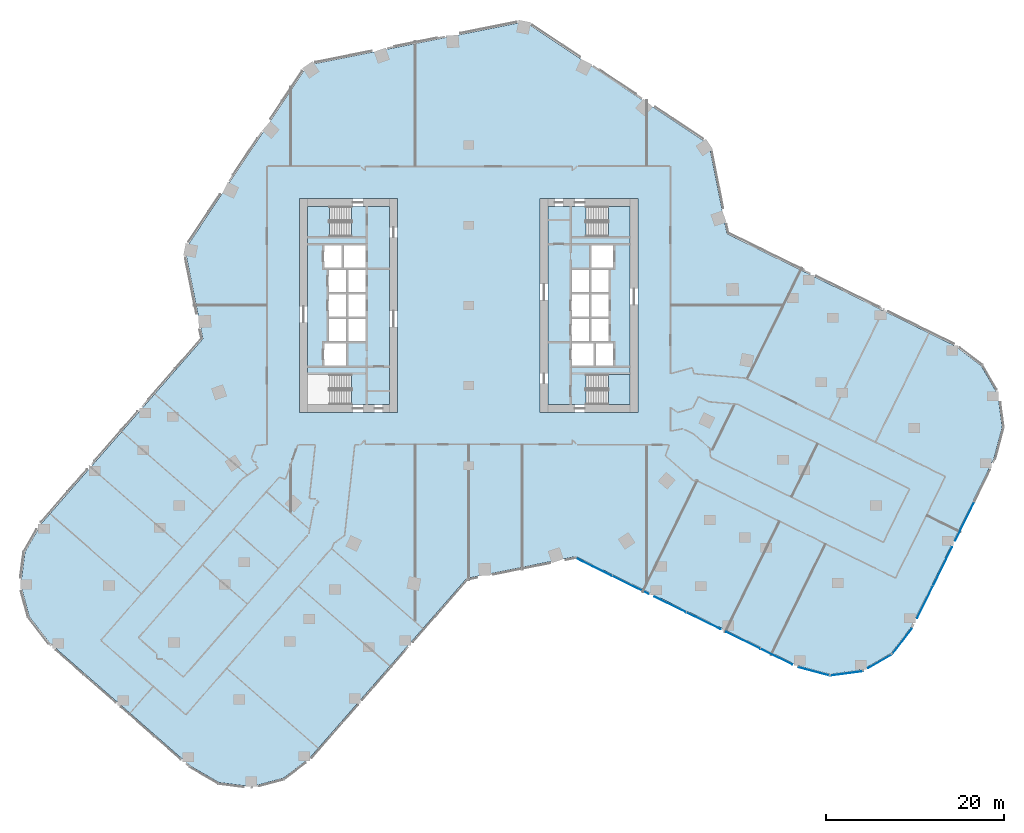
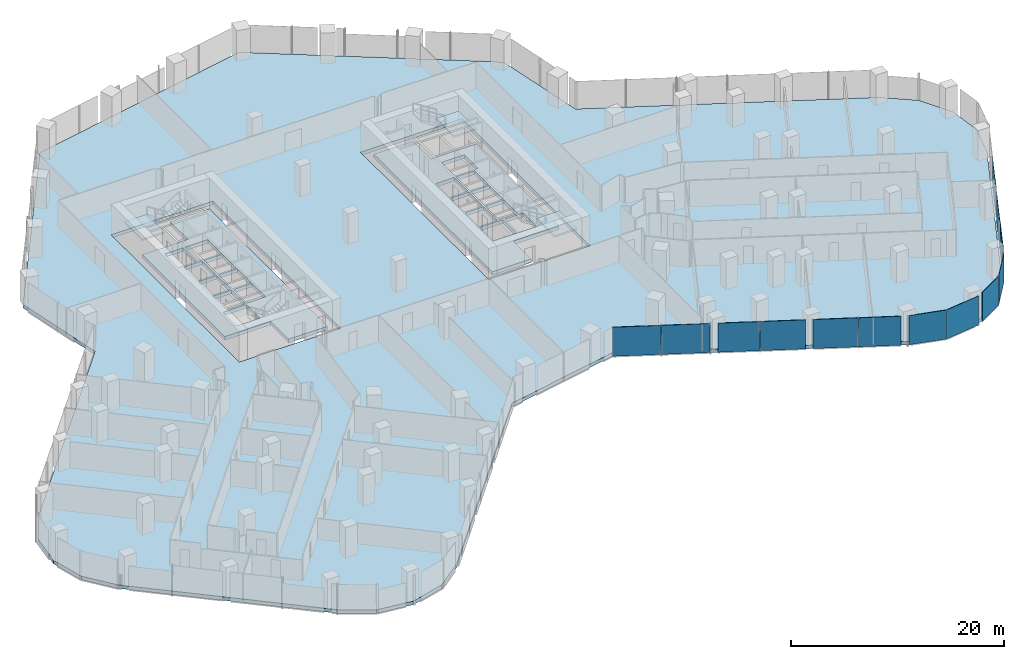
# One storey, part 21 of 38: 13 plates, 6 slabs, 9 elements without a shape of their own.
"""IFC4 building model written with IfcOpenShell, lengths in metres."""

from ifc_helpers import new_model, si_unit, direction, frame, origin, origin_2d, place, context, subcontext, project, spatial, polyline, rectangle, outline, extrude, material, layer, layer_set, type_object, element, aggregate, save


model = new_model("IFC4")

# Units and contexts
model_context = context("Model", 3, precision=1e-05, world=origin(), true_north=direction((0.0, 1.0)))
body_context = subcontext(model_context, "Body", "Model", "MODEL_VIEW")
ifc_project = project(units=[si_unit("LENGTHUNIT", "METRE"), si_unit("AREAUNIT", "SQUARE_METRE"), si_unit("VOLUMEUNIT", "CUBIC_METRE"), si_unit("PLANEANGLEUNIT", "RADIAN"), si_unit("MASSUNIT", "GRAM", prefix="KILO")], contexts=[model_context])

# Site, building, storey
site_placement = place(None, origin())
site = spatial("IfcSite", under=ifc_project, at=site_placement, CompositionType="ELEMENT")
building_placement = place(site_placement, origin())
building = spatial("IfcBuilding", under=site, at=building_placement, Name="Orlundy Tower", CompositionType="ELEMENT")
storey_placement = place(building_placement, frame((0.0, 0.0, 72.800048828125)))
storey = spatial("IfcBuildingStorey", under=building, at=storey_placement, Name="L17", CompositionType="ELEMENT", Elevation=72.800048828125)

# Curtain wall, plates
ifc_material_1 = material(Name="Aluminium bronze anodised", Category="aluminium")
curtain_wall_type = type_object("IfcCurtainWallType", Name="CW1 wall", PredefinedType="NOTDEFINED", material=ifc_material_1)
curtain_wall_1_placement = place(storey_placement, origin())
curtain_wall_1 = element("IfcCurtainWall", 1, at=curtain_wall_1_placement, inside=storey, type_object=curtain_wall_type, Name="CW1 run 00", PredefinedType="NOTDEFINED")
ifc_material_2 = material(Name="Tinted glass", Category="glass")
ifc_layer_1 = layer(ifc_material_2, 0.031982421875)
ifc_layer_set_1 = layer_set([ifc_layer_1], Name="CW1 glass panel 32")
plate_type = type_object("IfcPlateType", Name="CW1 glass panel 32", PredefinedType="CURTAIN_PANEL", material=ifc_layer_set_1)
plate_1_placement = place(storey_placement, frame((34.528076171875, -39.4306640625, -0.280029296875), z_axis=(0.0, 0.0, 1.0), x_axis=(-0.897522339484, 0.440968989984, 0.0)))
plate_1 = element("IfcPlate", 2, at=plate_1_placement, type_object=plate_type, Name="CW1 panel", PredefinedType="CURTAIN_PANEL", context=body_context, shape_type="SweptSolid", body=[
    extrude(rectangle(XDim=3.966552734375, YDim=0.031982421875, at=origin_2d()), origin(), (0.0, 0.0, 1.0), 3.330078125),
])
plate_2_placement = place(storey_placement, frame((30.803955078125, -37.60107421875, -0.280029296875), z_axis=(0.0, 0.0, 1.0), x_axis=(-0.897522339484, 0.440968989984, 0.0)))
plate_2 = element("IfcPlate", 3, at=plate_2_placement, type_object=plate_type, Name="CW1 panel", PredefinedType="CURTAIN_PANEL", context=body_context, shape_type="SweptSolid", body=[
    extrude(rectangle(XDim=4.23193359375, YDim=0.031982421875, at=origin_2d()), origin(), (0.0, 0.0, 1.0), 3.330078125),
])
plate_3_placement = place(storey_placement, frame((26.348388671875, -35.411865234375, -0.280029296875), z_axis=(0.0, 0.0, 1.0), x_axis=(-0.897522339484, 0.440968989984, 0.0)))
plate_3 = element("IfcPlate", 4, at=plate_3_placement, type_object=plate_type, Name="CW1 panel", PredefinedType="CURTAIN_PANEL", context=body_context, shape_type="SweptSolid", body=[
    extrude(rectangle(XDim=4.26220703125, YDim=0.031982421875, at=origin_2d()), origin(), (0.0, 0.0, 1.0), 3.330078125),
])
plate_4_placement = place(storey_placement, frame((22.623779296875, -33.58203125, -0.280029296875), z_axis=(0.0, 0.0, 1.0), x_axis=(-0.897522339484, 0.440968989984, 0.0)))
plate_4 = element("IfcPlate", 5, at=plate_4_placement, type_object=plate_type, Name="CW1 panel", PredefinedType="CURTAIN_PANEL", context=body_context, shape_type="SweptSolid", body=[
    extrude(rectangle(XDim=3.937255859375, YDim=0.031982421875, at=origin_2d()), origin(), (0.0, 0.0, 1.0), 3.330078125),
])
plate_5_placement = place(storey_placement, frame((18.168212890625, -31.392822265625, -0.280029296875), z_axis=(0.0, 0.0, 1.0), x_axis=(-0.897522339484, 0.440968989984, 0.0)))
plate_5 = element("IfcPlate", 6, at=plate_5_placement, type_object=plate_type, Name="CW1 panel", PredefinedType="CURTAIN_PANEL", context=body_context, shape_type="SweptSolid", body=[
    extrude(rectangle(XDim=4.556640625, YDim=0.031982421875, at=origin_2d()), origin(), (0.0, 0.0, 1.0), 3.330078125),
])
plate_6_placement = place(storey_placement, frame((14.03662109375, -29.363037109375, -0.280029296875), z_axis=(0.0, 0.0, 1.0), x_axis=(-0.897522339484, 0.440968989984, 0.0)))
plate_6 = element("IfcPlate", 7, at=plate_6_placement, type_object=plate_type, Name="CW1 panel", PredefinedType="CURTAIN_PANEL", context=body_context, shape_type="SweptSolid", body=[
    extrude(rectangle(XDim=4.550048828125, YDim=0.031982421875, at=origin_2d()), origin(), (0.0, 0.0, 1.0), 3.330078125),
])
aggregate(curtain_wall_1, [plate_1, plate_2, plate_3, plate_4, plate_5, plate_6])

curtain_wall_2_placement = place(storey_placement, origin())
curtain_wall_2 = element("IfcCurtainWall", 8, at=curtain_wall_2_placement, inside=storey, type_object=curtain_wall_type, Name="CW1 run 023", PredefinedType="NOTDEFINED")
plate_7_placement = place(storey_placement, frame((55.680908203125, -24.239990234375, -0.280029296875), z_axis=(0.0, 0.0, 1.0), x_axis=(-0.441012235503, -0.897501090883, 0.0)))
plate_7 = element("IfcPlate", 9, at=plate_7_placement, type_object=plate_type, Name="CW1 panel", PredefinedType="CURTAIN_PANEL", context=body_context, shape_type="SweptSolid", body=[
    extrude(rectangle(XDim=4.852294921875, YDim=0.031982421875, at=origin_2d()), origin(), (0.0, 0.0, 1.0), 3.330078125),
])
plate_8_placement = place(storey_placement, frame((53.193115234375, -29.302978515625, -0.280029296875), z_axis=(0.0, 0.0, 1.0), x_axis=(-0.441012235503, -0.897501090883, 0.0)))
plate_8 = element("IfcPlate", 10, at=plate_8_placement, type_object=plate_type, Name="CW1 panel", PredefinedType="CURTAIN_PANEL", context=body_context, shape_type="SweptSolid", body=[
    extrude(rectangle(XDim=4.764404296875, YDim=0.031982421875, at=origin_2d()), origin(), (0.0, 0.0, 1.0), 3.330078125),
])
plate_9_placement = place(storey_placement, frame((51.227294921875, -33.3037109375, -0.280029296875), z_axis=(0.0, 0.0, 1.0), x_axis=(-0.441012235503, -0.897501090883, 0.0)))
plate_9 = element("IfcPlate", 11, at=plate_9_placement, type_object=plate_type, Name="CW1 panel", PredefinedType="CURTAIN_PANEL", context=body_context, shape_type="SweptSolid", body=[
    extrude(rectangle(XDim=4.05078125, YDim=0.031982421875, at=origin_2d()), origin(), (0.0, 0.0, 1.0), 3.330078125),
])
aggregate(curtain_wall_2, [plate_7, plate_8, plate_9])

# Curtain wall, plate
curtain_wall_3_placement = place(storey_placement, origin())
curtain_wall_3 = element("IfcCurtainWall", 12, at=curtain_wall_3_placement, inside=storey, type_object=curtain_wall_type, Name="CW1 run 024", PredefinedType="NOTDEFINED")
plate_10_placement = place(storey_placement, frame((48.66064453125, -37.691162109375, -0.280029296875), z_axis=(0.0, 0.0, 1.0), x_axis=(-0.607570269729, -0.794265929863, 0.0)))
plate_10 = element("IfcPlate", 13, at=plate_10_placement, type_object=plate_type, Name="CW1 panel", PredefinedType="CURTAIN_PANEL", context=body_context, shape_type="SweptSolid", body=[
    extrude(rectangle(XDim=3.730224609375, YDim=0.031982421875, at=origin_2d()), origin(), (0.0, 0.0, 1.0), 3.330078125),
])
aggregate(curtain_wall_3, [plate_10])

curtain_wall_4_placement = place(storey_placement, origin())
curtain_wall_4 = element("IfcCurtainWall", 14, at=curtain_wall_4_placement, inside=storey, type_object=curtain_wall_type, Name="CW1 run 025", PredefinedType="NOTDEFINED")
plate_11_placement = place(storey_placement, frame((46.19677734375, -39.943603515625, -0.280029296875), z_axis=(0.0, 0.0, 1.0), x_axis=(-0.865272308879, -0.501302135928, 0.0)))
plate_11 = element("IfcPlate", 15, at=plate_11_placement, type_object=plate_type, Name="CW1 panel", PredefinedType="CURTAIN_PANEL", context=body_context, shape_type="SweptSolid", body=[
    extrude(rectangle(XDim=3.075927734375, YDim=0.031982421875, at=origin_2d()), origin(), (0.0, 0.0, 1.0), 3.330078125),
])
aggregate(curtain_wall_4, [plate_11])

curtain_wall_5_placement = place(storey_placement, origin())
curtain_wall_5 = element("IfcCurtainWall", 16, at=curtain_wall_5_placement, inside=storey, type_object=curtain_wall_type, Name="CW1 run 026", PredefinedType="NOTDEFINED")
plate_12_placement = place(storey_placement, frame((42.39404296875, -41.3125, -0.280029296875), z_axis=(0.0, 0.0, 1.0), x_axis=(-0.991227900682, -0.132163720098, 0.0)))
plate_12 = element("IfcPlate", 17, at=plate_12_placement, type_object=plate_type, Name="CW1 panel", PredefinedType="CURTAIN_PANEL", context=body_context, shape_type="SweptSolid", body=[
    extrude(rectangle(XDim=3.772705078125, YDim=0.031982421875, at=origin_2d()), origin(), (0.0, 0.0, 1.0), 3.330078125),
])
aggregate(curtain_wall_5, [plate_12])

curtain_wall_6_placement = place(storey_placement, origin())
curtain_wall_6 = element("IfcCurtainWall", 18, at=curtain_wall_6_placement, inside=storey, type_object=curtain_wall_type, Name="CW1 run 027", PredefinedType="NOTDEFINED")
plate_13_placement = place(storey_placement, frame((38.763916015625, -41.092529296875, -0.280029296875), z_axis=(0.0, 0.0, 1.0), x_axis=(-0.966230461093, 0.25767944438, 0.0)))
plate_13 = element("IfcPlate", 19, at=plate_13_placement, type_object=plate_type, Name="CW1 panel", PredefinedType="CURTAIN_PANEL", context=body_context, shape_type="SweptSolid", body=[
    extrude(rectangle(XDim=3.6435546875, YDim=0.031982421875, at=origin_2d()), origin(), (0.0, 0.0, 1.0), 3.330078125),
])
aggregate(curtain_wall_6, [plate_13])

# Slabs
ifc_material_3 = material(Name="Concrete C50/60", Category="concrete")
ifc_layer_2 = layer(ifc_material_3, 0.409912109375)
ifc_layer_set_2 = layer_set([ifc_layer_2], Name="Core Floor Slab 410")
slab_type_1 = type_object("IfcSlabType", Name="Core Floor Slab 410", PredefinedType="FLOOR", material=ifc_layer_set_2)
slab_1_placement = place(storey_placement, frame((0.0, 0.0, -0.41015625)))
element("IfcSlab", 20, at=slab_1_placement, inside=storey, type_object=slab_type_1, Name="Core floor W14", PredefinedType="FLOOR", context=body_context, shape_type="SweptSolid", body=[
    extrude(outline(polyline([(-13.14501953125, 7.75), (-13.14501953125, 11.10009765625), (-8.89990234375, 11.10009765625), (-8.89990234375, -11.10009765625), (-13.14501953125, -11.10009765625), (-13.14501953125, -7.75), (-18.10009765625, -7.75), (-18.10009765625, 7.75), (-13.14501953125, 7.75)]), holes=[polyline([(-16.239990234375, -6.77490234375), (-13.739990234375, -6.77490234375), (-13.739990234375, -4.22509765625), (-16.239990234375, -4.22509765625), (-16.239990234375, -6.77490234375)]), polyline([(-13.5400390625, -1.47509765625), (-13.5400390625, -4.02490234375), (-11.5400390625, -4.02490234375), (-11.5400390625, -1.47509765625), (-13.5400390625, -1.47509765625)]), polyline([(-13.739990234375, -1.47509765625), (-15.739990234375, -1.47509765625), (-15.739990234375, -4.02490234375), (-13.739990234375, -4.02490234375), (-13.739990234375, -1.47509765625)]), polyline([(-11.5400390625, -1.27490234375), (-11.5400390625, 1.27490234375), (-13.5400390625, 1.27490234375), (-13.5400390625, -1.27490234375), (-11.5400390625, -1.27490234375)]), polyline([(-15.739990234375, -1.27490234375), (-13.739990234375, -1.27490234375), (-13.739990234375, 1.27490234375), (-15.739990234375, 1.27490234375), (-15.739990234375, -1.27490234375)]), polyline([(-13.5400390625, 4.02490234375), (-13.5400390625, 1.47509765625), (-11.5400390625, 1.47509765625), (-11.5400390625, 4.02490234375), (-13.5400390625, 4.02490234375)]), polyline([(-13.739990234375, 4.02490234375), (-15.739990234375, 4.02490234375), (-15.739990234375, 1.47509765625), (-13.739990234375, 1.47509765625), (-13.739990234375, 4.02490234375)]), polyline([(-11.5400390625, 4.22509765625), (-11.5400390625, 6.77490234375), (-14.0400390625, 6.77490234375), (-14.0400390625, 4.22509765625), (-11.5400390625, 4.22509765625)]), polyline([(-16.239990234375, 4.22509765625), (-14.239990234375, 4.22509765625), (-14.239990234375, 6.77490234375), (-16.239990234375, 6.77490234375), (-16.239990234375, 4.22509765625)])]), origin(), (0.0, 0.0, 1.0), 0.41015625),
])
slab_2_placement = place(storey_placement, frame((0.0, 0.0, -0.41015625)))
element("IfcSlab", 21, at=slab_2_placement, inside=storey, type_object=slab_type_1, Name="Core floor E14", PredefinedType="FLOOR", context=body_context, shape_type="SweptSolid", body=[
    extrude(outline(polyline([(13.14501953125, -7.75), (13.14501953125, -11.10009765625), (8.89990234375, -11.10009765625), (8.89990234375, 11.10009765625), (13.14501953125, 11.10009765625), (13.14501953125, 7.75), (18.10009765625, 7.75), (18.10009765625, -7.75), (13.14501953125, -7.75)]), holes=[polyline([(16.239990234375, 6.77490234375), (13.739990234375, 6.77490234375), (13.739990234375, 4.22509765625), (16.239990234375, 4.22509765625), (16.239990234375, 6.77490234375)]), polyline([(13.5400390625, 1.47509765625), (13.5400390625, 4.02490234375), (11.5400390625, 4.02490234375), (11.5400390625, 1.47509765625), (13.5400390625, 1.47509765625)]), polyline([(13.739990234375, 1.47509765625), (15.739990234375, 1.47509765625), (15.739990234375, 4.02490234375), (13.739990234375, 4.02490234375), (13.739990234375, 1.47509765625)]), polyline([(11.5400390625, 1.27490234375), (11.5400390625, -1.27490234375), (13.5400390625, -1.27490234375), (13.5400390625, 1.27490234375), (11.5400390625, 1.27490234375)]), polyline([(15.739990234375, 1.27490234375), (13.739990234375, 1.27490234375), (13.739990234375, -1.27490234375), (15.739990234375, -1.27490234375), (15.739990234375, 1.27490234375)]), polyline([(13.5400390625, -4.02490234375), (13.5400390625, -1.47509765625), (11.5400390625, -1.47509765625), (11.5400390625, -4.02490234375), (13.5400390625, -4.02490234375)]), polyline([(13.739990234375, -4.02490234375), (15.739990234375, -4.02490234375), (15.739990234375, -1.47509765625), (13.739990234375, -1.47509765625), (13.739990234375, -4.02490234375)]), polyline([(11.5400390625, -4.22509765625), (11.5400390625, -6.77490234375), (14.0400390625, -6.77490234375), (14.0400390625, -4.22509765625), (11.5400390625, -4.22509765625)]), polyline([(16.239990234375, -4.22509765625), (14.239990234375, -4.22509765625), (14.239990234375, -6.77490234375), (16.239990234375, -6.77490234375), (16.239990234375, -4.22509765625)])]), origin(), (0.0, 0.0, 1.0), 0.41015625),
])

# Stair, slab
ifc_material_4 = material(Name="Concrete C50/60", Category="concrete")
stair_type = type_object("IfcStairType", Name="Exit Stair 20 risers", PredefinedType="HALF_TURN_STAIR", material=ifc_material_4)
stair_1_placement = place(storey_placement, origin())
stair_1 = element("IfcStair", 22, at=stair_1_placement, inside=storey, type_object=stair_type, Name="L17 Exit Stair ST-W1", PredefinedType="HALF_TURN_STAIR")
ifc_material_5 = material(Name="Concrete C50/60", Category="concrete")
ifc_layer_3 = layer(ifc_material_5, 0.199951171875)
ifc_layer_set_3 = layer_set([ifc_layer_3], Name="Exit Stair Landing")
slab_type_2 = type_object("IfcSlabType", Name="Exit Stair Landing", PredefinedType="LANDING", material=ifc_layer_set_3)
slab_3_placement = place(storey_placement, frame((0.0, 0.0, 1.550048828125)))
slab_3 = element("IfcSlab", 23, at=slab_3_placement, type_object=slab_type_2, Name="ST-W1 landing 1", PredefinedType="LANDING", context=body_context, shape_type="SweptSolid", body=[
    extrude(outline(polyline([(-15.659912109375, 11.10009765625), (-18.10009765625, 11.10009765625), (-18.10009765625, 7.75), (-15.659912109375, 7.75), (-15.659912109375, 11.10009765625)])), origin(), (0.0, 0.0, 1.0), 0.199951171875),
])
aggregate(stair_1, [slab_3])

stair_2_placement = place(storey_placement, origin())
stair_2 = element("IfcStair", 24, at=stair_2_placement, inside=storey, type_object=stair_type, Name="L17 Exit Stair ST-E1", PredefinedType="HALF_TURN_STAIR")
slab_4_placement = place(storey_placement, frame((0.0, 0.0, 1.550048828125)))
slab_4 = element("IfcSlab", 25, at=slab_4_placement, type_object=slab_type_2, Name="ST-E1 landing 1", PredefinedType="LANDING", context=body_context, shape_type="SweptSolid", body=[
    extrude(outline(polyline([(15.659912109375, -11.10009765625), (18.10009765625, -11.10009765625), (18.10009765625, -7.75), (15.659912109375, -7.75), (15.659912109375, -11.10009765625)])), origin(), (0.0, 0.0, 1.0), 0.199951171875),
])
aggregate(stair_2, [slab_4])

stair_3_placement = place(storey_placement, origin())
stair_3 = element("IfcStair", 26, at=stair_3_placement, inside=storey, type_object=stair_type, Name="L17 Exit Stair ST-E2", PredefinedType="HALF_TURN_STAIR")
slab_5_placement = place(storey_placement, frame((0.0, 0.0, 1.550048828125)))
slab_5 = element("IfcSlab", 27, at=slab_5_placement, type_object=slab_type_2, Name="ST-E2 landing 1", PredefinedType="LANDING", context=body_context, shape_type="SweptSolid", body=[
    extrude(outline(polyline([(15.659912109375, 7.75), (18.10009765625, 7.75), (18.10009765625, 11.10009765625), (15.659912109375, 11.10009765625), (15.659912109375, 7.75)])), origin(), (0.0, 0.0, 1.0), 0.199951171875),
])
aggregate(stair_3, [slab_5])

# Slab
ifc_material_6 = material(Name="Concrete C45/55", Category="concrete")
ifc_layer_4 = layer(ifc_material_6, 0.39990234375)
ifc_layer_set_4 = layer_set([ifc_layer_4], Name="FLOOR SLAB THICK 400 C45/55")
slab_type_3 = type_object("IfcSlabType", Name="FLOOR SLAB THICK 400 C45/55", PredefinedType="FLOOR", material=ifc_layer_set_4)
slab_6_placement = place(storey_placement, frame((0.0, 0.0, -0.400146484375)))
element("IfcSlab", 28, at=slab_6_placement, inside=storey, type_object=slab_type_3, Name="Floor slab L17", PredefinedType="FLOOR", context=body_context, shape_type="SweptSolid", body=[
    extrude(outline(polyline([(12.01708984375, -28.18798828125), (-0.22607421875, -30.64208984375), (-17.85693359375, -50.804931640625), (-20.7939453125, -53.06591796875), (-24.373046875, -54.030029296875), (-28.049072265625, -53.552001953125), (-31.261962890625, -51.702880859375), (-47.070068359375, -37.8798828125), (-49.3310546875, -34.94189453125), (-50.2958984375, -31.363037109375), (-49.81689453125, -27.68798828125), (-47.968994140625, -24.47509765625), (-29.844970703125, -3.7490234375), (-31.85693359375, 6.2890625), (-18.080078125, 26.972900390625), (6.2890625, 31.85693359375), (26.972900390625, 18.080078125), (28.985107421875, 8.0419921875), (54.593017578125, -4.5400390625), (57.537109375, -6.7919921875), (59.39501953125, -10.0), (59.884033203125, -13.674072265625), (58.929931640625, -17.256103515625), (49.6689453125, -36.10302734375), (47.4169921875, -39.047119140625), (44.2099609375, -40.905029296875), (40.534912109375, -41.39501953125), (36.9541015625, -40.43994140625), (12.01708984375, -28.18798828125)]), holes=[polyline([(-8.0, -12.0), (-8.0, 12.0), (-19.0, 12.0), (-19.0, -12.0), (-8.0, -12.0)]), polyline([(19.0, -12.0), (19.0, 12.0), (8.0, 12.0), (8.0, -12.0), (19.0, -12.0)])]), origin(), (0.0, 0.0, 1.0), 0.400146484375),
])

save(model, "model.ifc")
